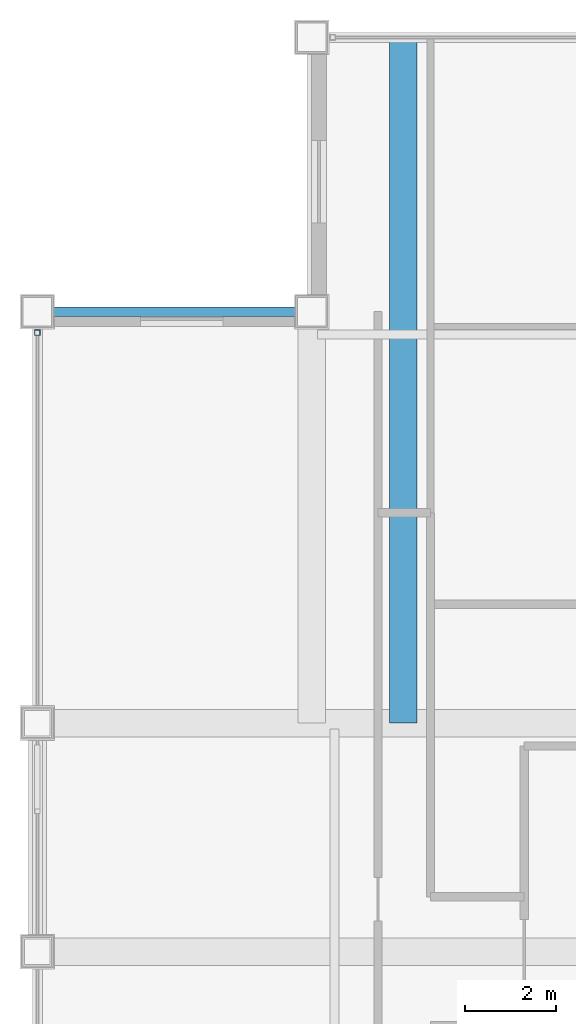
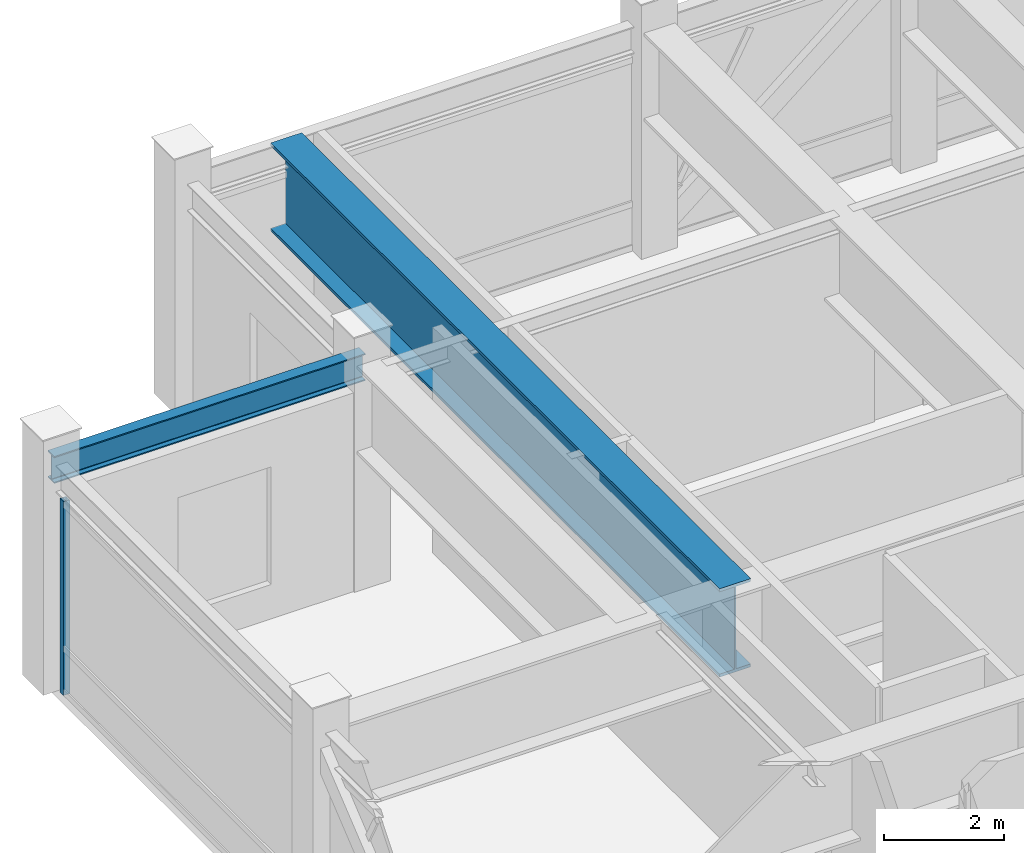
# One storey, part 14 of 29: 2 beams, 1 member, 1 element without a shape of its own.
"""IFC4 building model written with IfcOpenShell, lengths in metres."""

from ifc_helpers import new_model, si_unit, direction, frame, origin, origin_2d, place, context, subcontext, project, spatial, hollow_rectangle, i_section, extrude, source, transform, mapped, material, material_profile, profile_set, type_object, element, aggregate, save


model = new_model("IFC4")

# Units and contexts
model_context = context("Model", 3, precision=1e-05, world=origin(), true_north=direction((0.0, 1.0)))
body_context = subcontext(model_context, "Body", "Model", "MODEL_VIEW")
ifc_project = project(units=[si_unit("LENGTHUNIT", "METRE"), si_unit("AREAUNIT", "SQUARE_METRE"), si_unit("VOLUMEUNIT", "CUBIC_METRE"), si_unit("PLANEANGLEUNIT", "RADIAN"), si_unit("MASSUNIT", "GRAM", prefix="KILO")], contexts=[model_context])

# Site, building, storey
site_placement = place(None, origin())
site = spatial("IfcSite", under=ifc_project, at=site_placement, CompositionType="ELEMENT")
building_placement = place(site_placement, origin())
building = spatial("IfcBuilding", under=site, at=building_placement, Name="Khorayat Bourse Tower", CompositionType="ELEMENT")
storey_placement = place(building_placement, frame((0.0, 0.0, 370.300048828125)))
storey = spatial("IfcBuildingStorey", under=building, at=storey_placement, Name="L88", CompositionType="ELEMENT", Elevation=370.300048828125)

# Beams
ifc_material_1 = material(Name="Steel ASTM A992 Grade 50", Category="steel")
ifc_material_profile_1 = material_profile(ifc_material_1, i_section(OverallWidth=0.214111328125, OverallDepth=0.549072265625, WebThickness=0.0146484375, FlangeThickness=0.023681640625, FilletRadius=0.013916015625, at=origin_2d()), Name="W530X138")
ifc_profile_set_1 = profile_set([ifc_material_profile_1], Name="Steel ASTM A992 Grade 50")
beam_type_1 = type_object("IfcBeamType", Name="BM-SPAN-530", PredefinedType="SPANDREL", material=ifc_profile_set_1)
shared_shape_1 = source(origin(), body_context, "Body", "SweptSolid", [
    extrude(i_section(OverallWidth=0.214111328125, OverallDepth=0.549072265625, WebThickness=0.0146484375, FlangeThickness=0.023681640625, FilletRadius=0.013916015625, at=origin_2d()), origin(), (0.0, 0.0, 1.0), 6.0),
])
beam_1_placement = place(storey_placement, frame((-26.0, 20.0, 4.325439453125), z_axis=(1.0, 0.0, 0.0), x_axis=(0.0, 1.0, 0.0)))
element("IfcBeam", 1, at=beam_1_placement, inside=storey, type_object=beam_type_1, Name="L88 BM-SPAN-530 BM-L88-SPN-047", PredefinedType="SPANDREL", context=body_context, shape_type="MappedRepresentation", body=[
    mapped(shared_shape_1, transform((0.0, 0.0, 0.0), scale=1.0)),
])
ifc_material_2 = material(Name="Steel EN 10025-4 S460M", Category="steel")
ifc_material_profile_2 = material_profile(ifc_material_2, i_section(OverallWidth=0.60009765625, OverallDepth=1.800048828125, WebThickness=0.031982421875, FlangeThickness=0.06005859375, at=origin_2d()), Name="PG 1800x600x32x60")
ifc_profile_set_2 = profile_set([ifc_material_profile_2], Name="Steel EN 10025-4 S460M")
beam_type_2 = type_object("IfcBeamType", Name="BM-TR-1800", PredefinedType="BEAM", material=ifc_profile_set_2)
shared_shape_2 = source(origin(), body_context, "Body", "SweptSolid", [
    extrude(i_section(OverallWidth=0.60009765625, OverallDepth=1.800048828125, WebThickness=0.031982421875, FlangeThickness=0.06005859375, at=origin_2d()), origin(), (0.0, 0.0, 1.0), 15.0),
])
beam_2_placement = place(storey_placement, frame((-18.0, 11.0, 3.699951171875), z_axis=(0.0, 1.0, 0.0), x_axis=(-1.0, 0.0, 0.0)))
element("IfcBeam", 2, at=beam_2_placement, inside=storey, type_object=beam_type_2, Name="L88 BM-TR-1800 BM-L88-CNRY-077", PredefinedType="BEAM", context=body_context, shape_type="MappedRepresentation", body=[
    mapped(shared_shape_2, transform((0.0, 0.0, 0.0), scale=1.0)),
])

# Curtain wall, member
ifc_material_3 = material(Name="Aluminium EN AW-6063 T6", Category="aluminium")
curtain_wall_type = type_object("IfcCurtainWallType", Name="CW-SYS-04", PredefinedType="NOTDEFINED", material=ifc_material_3)
curtain_wall_placement = place(storey_placement, origin())
curtain_wall = element("IfcCurtainWall", 3, at=curtain_wall_placement, inside=storey, type_object=curtain_wall_type, Name="L88 Curtain Wall CW-L88-W1", PredefinedType="NOTDEFINED")
ifc_material_profile_3 = material_profile(ifc_material_3, hollow_rectangle(XDim=0.1201171875, YDim=0.1201171875, WallThickness=0.0048828125, at=origin_2d()), Name="ALU 120x120x5")
ifc_profile_set_3 = profile_set([ifc_material_profile_3], Name="Aluminium EN AW-6063 T6")
member_type = type_object("IfcMemberType", Name="CWM-VERT-120", PredefinedType="MULLION", material=ifc_profile_set_3)
shared_shape_3 = source(origin(), body_context, "Body", "SweptSolid", [
    extrude(hollow_rectangle(XDim=0.1201171875, YDim=0.1201171875, WallThickness=0.0048828125, at=origin_2d()), origin(), (0.0, 0.0, 1.0), 3.949951171875),
])
member_placement = place(storey_placement, frame((-26.0, 19.5400390625, 0.0), z_axis=(0.0, 0.0, 1.0), x_axis=(-1.0, 0.0, 0.0)))
member = element("IfcMember", 4, at=member_placement, type_object=member_type, Name="CW-L88-W1 Vertical Mullion 3", PredefinedType="MULLION", context=body_context, shape_type="MappedRepresentation", body=[
    mapped(shared_shape_3, transform((0.0, 0.0, 0.0), scale=1.0)),
])
aggregate(curtain_wall, [member])

save(model, "model.ifc")
